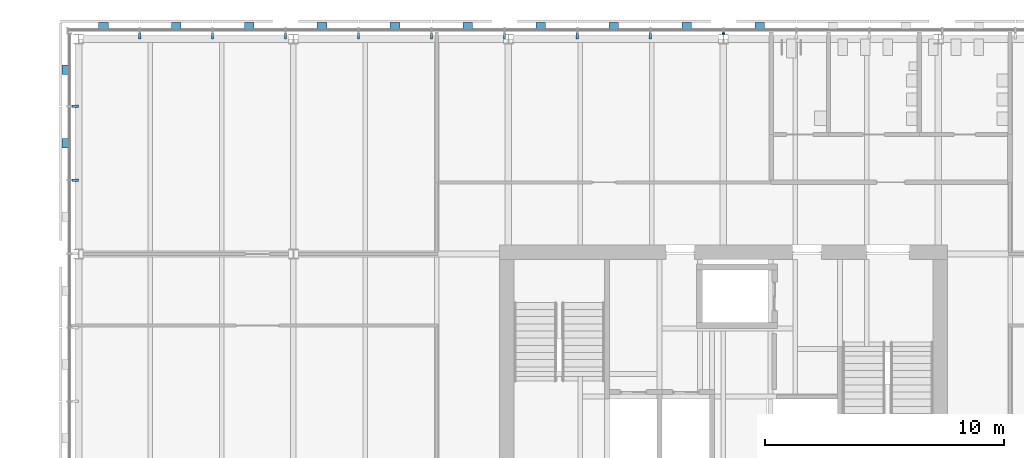
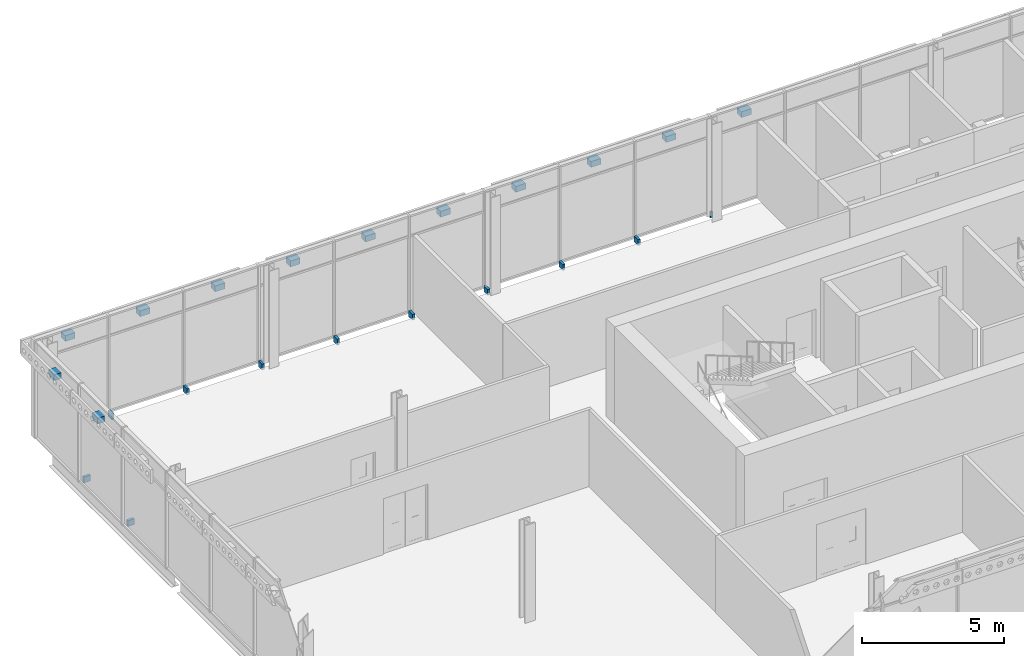
# One storey, part 98 of 123: 23 discrete accessories.
"""IFC4 building model written with IfcOpenShell, lengths in metres."""

from ifc_helpers import new_model, si_unit, direction, frame, origin, origin_2d, place, context, subcontext, project, spatial, rectangle, extrude, material, type_object, element, save


model = new_model("IFC4")

# Units and contexts
model_context = context("Model", 3, precision=1e-05, world=origin(), true_north=direction((0.0, 1.0)))
body_context = subcontext(model_context, "Body", "Model", "MODEL_VIEW")
ifc_project = project(units=[si_unit("LENGTHUNIT", "METRE"), si_unit("AREAUNIT", "SQUARE_METRE"), si_unit("VOLUMEUNIT", "CUBIC_METRE"), si_unit("PLANEANGLEUNIT", "RADIAN"), si_unit("MASSUNIT", "GRAM", prefix="KILO")], contexts=[model_context])

# Site, building, storey
site_placement = place(None, origin())
site = spatial("IfcSite", under=ifc_project, at=site_placement, CompositionType="ELEMENT")
building_placement = place(site_placement, origin())
building = spatial("IfcBuilding", under=site, at=building_placement, Name="Baradari Gate Terminus", CompositionType="ELEMENT")
storey_placement = place(building_placement, frame((0.0, 0.0, 7.5)))
storey = spatial("IfcBuildingStorey", under=building, at=storey_placement, Name="L01", CompositionType="ELEMENT", Elevation=7.5)

# Discrete accessories
ifc_material_1 = material(Name="Aluminium 6063-T6", Category="aluminium")
discrete_accessory_type_1 = type_object("IfcDiscreteAccessoryType", Name="Curtain wall bracket BK-1 100x250", PredefinedType="BRACKET", material=ifc_material_1)
for number, where, z_axis, x_axis, name in (
    (1, (11.56005859375, 144.135009765625, -0.10009765625), (0.0, 0.0, 1.0), (0.0, 1.0, 0.0), "Curtain wall bracket BK-1 L01/TN mullion 2"),
    (2, (14.614990234375, 144.135009765625, -0.10009765625), (0.0, 0.0, 1.0), (0.0, 1.0, 0.0), "Curtain wall bracket BK-1 L01/TN mullion 3"),
    (3, (17.669921875, 144.135009765625, -0.10009765625), (0.0, 0.0, 1.0), (0.0, 1.0, 0.0), "Curtain wall bracket BK-1 L01/TN mullion 4"),
    (4, (20.72509765625, 144.135009765625, -0.10009765625), (0.0, 0.0, 1.0), (0.0, 1.0, 0.0), "Curtain wall bracket BK-1 L01/TN mullion 5"),
    (5, (23.780029296875, 144.135009765625, -0.10009765625), (0.0, 0.0, 1.0), (0.0, 1.0, 0.0), "Curtain wall bracket BK-1 L01/TN mullion 6"),
    (6, (26.8349609375, 144.135009765625, -0.10009765625), (0.0, 0.0, 1.0), (0.0, 1.0, 0.0), "Curtain wall bracket BK-1 L01/TN mullion 7"),
    (7, (29.889892578125, 144.135009765625, -0.10009765625), (0.0, 0.0, 1.0), (0.0, 1.0, 0.0), "Curtain wall bracket BK-1 L01/TN mullion 8"),
    (8, (32.945068359375, 144.135009765625, -0.10009765625), (0.0, 0.0, 1.0), (0.0, 1.0, 0.0), "Curtain wall bracket BK-1 L01/TN mullion 9"),
):
    element("IfcDiscreteAccessory", number, at=place(storey_placement, frame(where, z_axis=z_axis, x_axis=x_axis)), inside=storey, type_object=discrete_accessory_type_1, Name=name, PredefinedType="BRACKET", context=body_context, shape_type="SweptSolid", body=[
        extrude(rectangle(XDim=0.27001953125, YDim=0.10009765625, at=origin_2d()), origin(), (0.0, 0.0, 1.0), 0.25),
    ])
discrete_accessory_placement = place(storey_placement, frame((36.0, 144.2333984375, -0.10009765625), z_axis=(0.0, 0.0, 1.0), x_axis=(0.0, 1.0, 0.0)))
element("IfcDiscreteAccessory", 9, at=discrete_accessory_placement, inside=storey, type_object=discrete_accessory_type_1, Name="Curtain wall bracket BK-1 L01/TN mullion 10", PredefinedType="BRACKET", context=body_context, shape_type="SweptSolid", body=[
    extrude(rectangle(XDim=0.0732421875, YDim=0.10009765625, at=origin_2d()), origin(), (0.0, 0.0, 1.0), 0.25),
])
for number, where, z_axis, x_axis, name in (
    (10, (8.864990234375, 138.094482421875, -0.10009765625), (0.0, 0.0, 1.0), (-1.0, 0.0, 0.0), "Curtain wall bracket BK-1 L01/TW mullion 8"),
    (11, (8.864990234375, 141.18212890625, -0.10009765625), (0.0, 0.0, 1.0), (-1.0, 0.0, 0.0), "Curtain wall bracket BK-1 L01/TW mullion 9"),
):
    element("IfcDiscreteAccessory", number, at=place(storey_placement, frame(where, z_axis=z_axis, x_axis=x_axis)), inside=storey, type_object=discrete_accessory_type_1, Name=name, PredefinedType="BRACKET", context=body_context, shape_type="SweptSolid", body=[
        extrude(rectangle(XDim=0.27001953125, YDim=0.10009765625, at=origin_2d()), origin(), (0.0, 0.0, 1.0), 0.25),
    ])
ifc_material_2 = material(Name="Stainless steel 316", Category="steel")
discrete_accessory_type_2 = type_object("IfcDiscreteAccessoryType", Name="Jali screen bracket BK-2 stainless steel", PredefinedType="BRACKET", material=ifc_material_2)
for number, where, z_axis, x_axis, name in (
    (12, (10.050048828125, 144.543701171875, 3.607421875), (0.0, 0.0, 1.0), (0.0, 1.0, 0.0), "Jali screen bracket BK-2 L01/TN bay 1"),
    (13, (13.08740234375, 144.543701171875, 3.607421875), (0.0, 0.0, 1.0), (0.0, 1.0, 0.0), "Jali screen bracket BK-2 L01/TN bay 2"),
    (14, (16.142578125, 144.543701171875, 3.607421875), (0.0, 0.0, 1.0), (0.0, 1.0, 0.0), "Jali screen bracket BK-2 L01/TN bay 3"),
    (15, (19.197509765625, 144.543701171875, 3.607421875), (0.0, 0.0, 1.0), (0.0, 1.0, 0.0), "Jali screen bracket BK-2 L01/TN bay 4"),
    (16, (22.25244140625, 144.543701171875, 3.607421875), (0.0, 0.0, 1.0), (0.0, 1.0, 0.0), "Jali screen bracket BK-2 L01/TN bay 5"),
    (17, (25.3076171875, 144.543701171875, 3.607421875), (0.0, 0.0, 1.0), (0.0, 1.0, 0.0), "Jali screen bracket BK-2 L01/TN bay 6"),
    (18, (28.362548828125, 144.543701171875, 3.607421875), (0.0, 0.0, 1.0), (0.0, 1.0, 0.0), "Jali screen bracket BK-2 L01/TN bay 7"),
    (19, (31.41748046875, 144.543701171875, 3.607421875), (0.0, 0.0, 1.0), (0.0, 1.0, 0.0), "Jali screen bracket BK-2 L01/TN bay 8"),
    (20, (34.472412109375, 144.543701171875, 3.607421875), (0.0, 0.0, 1.0), (0.0, 1.0, 0.0), "Jali screen bracket BK-2 L01/TN bay 9"),
    (21, (37.527587890625, 144.543701171875, 3.607421875), (0.0, 0.0, 1.0), (0.0, 1.0, 0.0), "Jali screen bracket BK-2 L01/TN bay 10"),
    (22, (8.456298828125, 139.638427734375, 3.607421875), (0.0, 0.0, 1.0), (-1.0, 0.0, 0.0), "Jali screen bracket BK-2 L01/TW bay 8"),
    (23, (8.456298828125, 142.70849609375, 3.607421875), (0.0, 0.0, 1.0), (-1.0, 0.0, 0.0), "Jali screen bracket BK-2 L01/TW bay 9"),
):
    element("IfcDiscreteAccessory", number, at=place(storey_placement, frame(where, z_axis=z_axis, x_axis=x_axis)), inside=storey, type_object=discrete_accessory_type_2, Name=name, PredefinedType="BRACKET", context=body_context, shape_type="SweptSolid", body=[
        extrude(rectangle(XDim=0.302490234375, YDim=0.39990234375, at=origin_2d()), origin(), (0.0, 0.0, 1.0), 0.25),
    ])

save(model, "model.ifc")
